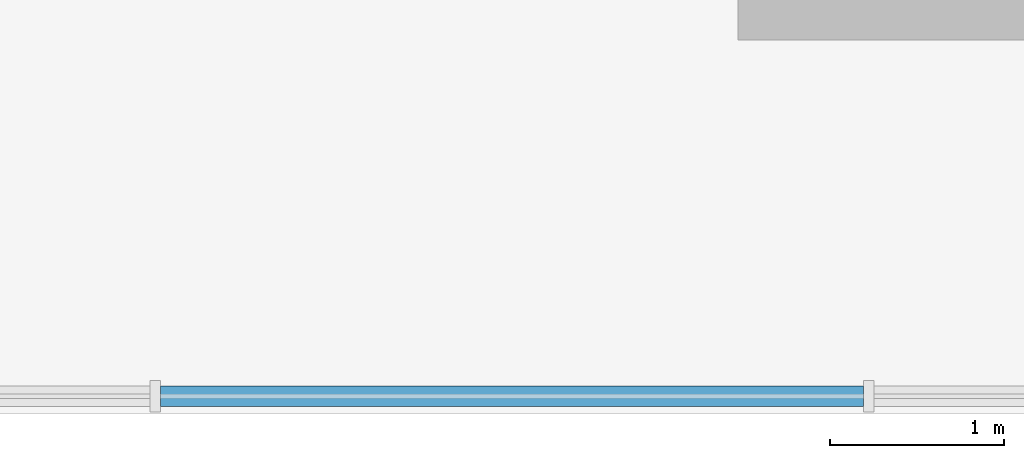
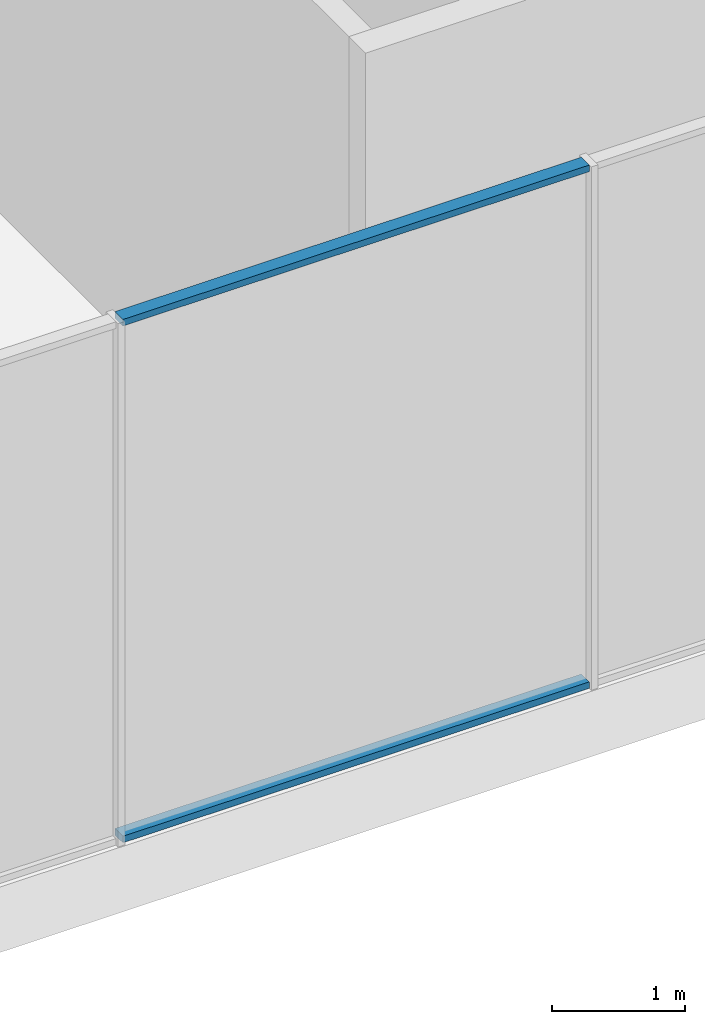
# One storey, part 3 of 23: 2 members, 1 element without a shape of its own.
"""IFC4 building model written with IfcOpenShell, lengths in metres."""

from ifc_helpers import new_model, si_unit, direction, frame, origin, origin_2d, place, context, subcontext, project, spatial, rectangle, extrude, source, transform, mapped, material, layer, layer_set, material_profile, profile_set, type_object, element, aggregate, save


model = new_model("IFC4")

# Units and contexts
model_context = context("Model", 3, precision=1e-05, world=origin(), true_north=direction((0.0, 1.0)))
body_context = subcontext(model_context, "Body", "Model", "MODEL_VIEW")
ifc_project = project(units=[si_unit("LENGTHUNIT", "METRE"), si_unit("AREAUNIT", "SQUARE_METRE"), si_unit("VOLUMEUNIT", "CUBIC_METRE"), si_unit("PLANEANGLEUNIT", "RADIAN"), si_unit("MASSUNIT", "GRAM", prefix="KILO")], contexts=[model_context])

# Site, building, storey
site_placement = place(None, origin())
site = spatial("IfcSite", under=ifc_project, at=site_placement, CompositionType="ELEMENT")
building_placement = place(site_placement, origin())
building = spatial("IfcBuilding", under=site, at=building_placement, Name="Aurelian Terraces", CompositionType="ELEMENT")
storey_placement = place(building_placement, frame((0.0, 0.0, 23.7)))
storey = spatial("IfcBuildingStorey", under=building, at=storey_placement, Name="L04", CompositionType="ELEMENT", Elevation=23.7)

# Curtain wall, members
ifc_material_1 = material(Name="Anodised aluminium and clear glazing", Category="aluminium")
ifc_layer = layer(ifc_material_1, 0.2)
ifc_layer_set = layer_set([ifc_layer], Name="Winter garden glazing curtain wall")
curtain_wall_type = type_object("IfcCurtainWallType", Name="Winter garden glazing curtain wall", PredefinedType="NOTDEFINED", material=ifc_layer_set)
curtain_wall_placement = place(storey_placement, origin())
curtain_wall = element("IfcCurtainWall", 1, at=curtain_wall_placement, inside=storey, type_object=curtain_wall_type, Name="Winter garden glazing L04 F01.1", PredefinedType="NOTDEFINED")
ifc_material_2 = material(Name="Anodised aluminium", Category="aluminium")
ifc_material_profile = material_profile(ifc_material_2, rectangle(XDim=0.12, YDim=0.06, at=origin_2d()))
ifc_profile_set = profile_set([ifc_material_profile], Name="Anodised aluminium")
member_type = type_object("IfcMemberType", Name="Winter garden glazing transom", PredefinedType="USERDEFINED", material=ifc_profile_set)
shared_shape = source(origin(), body_context, "Body", "SweptSolid", [
    extrude(rectangle(XDim=0.12, YDim=0.06, at=origin_2d()), origin(), (0.0, 0.0, 1.0), 4.0466),
])
member_1_placement = place(storey_placement, frame((26.6767, -2.0, 0.03), z_axis=(1.0, 0.0, 0.0), x_axis=(0.0, 1.0, 0.0)))
member_1 = element("IfcMember", 2, at=member_1_placement, type_object=member_type, Name="CW6 transom 8.1", ObjectType="TRANSOM", PredefinedType="USERDEFINED", context=body_context, shape_type="MappedRepresentation", body=[
    mapped(shared_shape, transform((0.0, 0.0, 0.0), scale=1.0)),
])
member_2_placement = place(storey_placement, frame((26.6767, -2.0, 4.77), z_axis=(1.0, 0.0, 0.0), x_axis=(0.0, 1.0, 0.0)))
member_2 = element("IfcMember", 3, at=member_2_placement, type_object=member_type, Name="CW6 transom 8.2", ObjectType="TRANSOM", PredefinedType="USERDEFINED", context=body_context, shape_type="MappedRepresentation", body=[
    mapped(shared_shape, transform((0.0, 0.0, 0.0), scale=1.0)),
])
aggregate(curtain_wall, [member_1, member_2])

save(model, "model.ifc")
